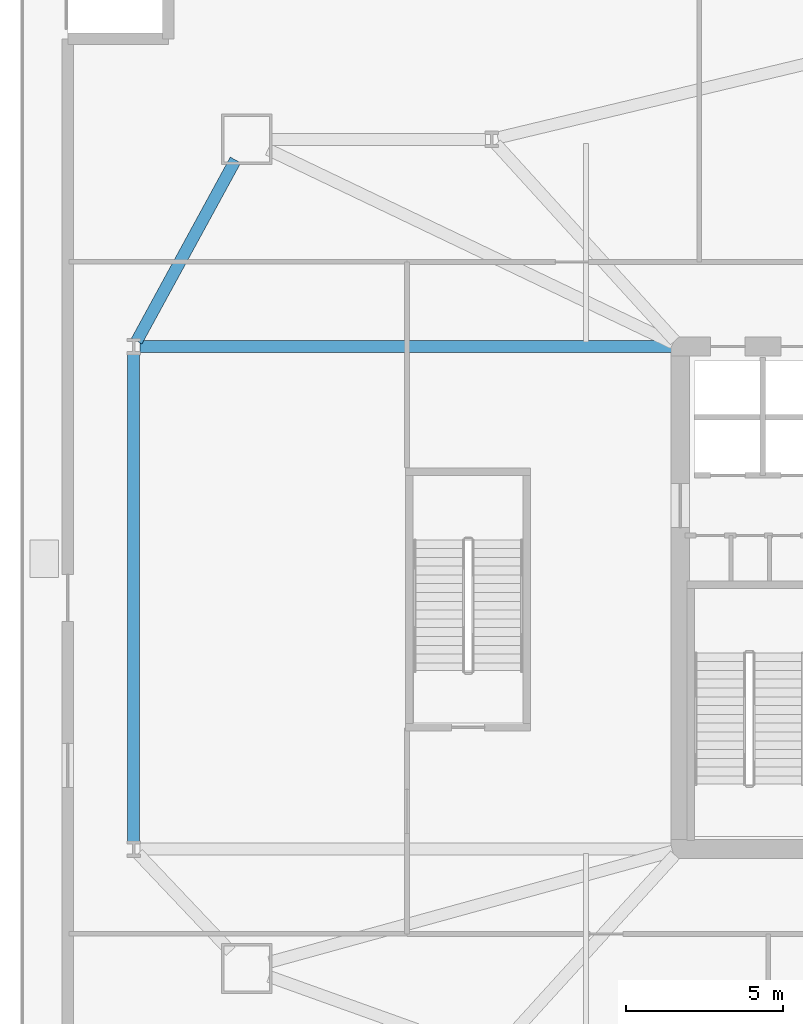
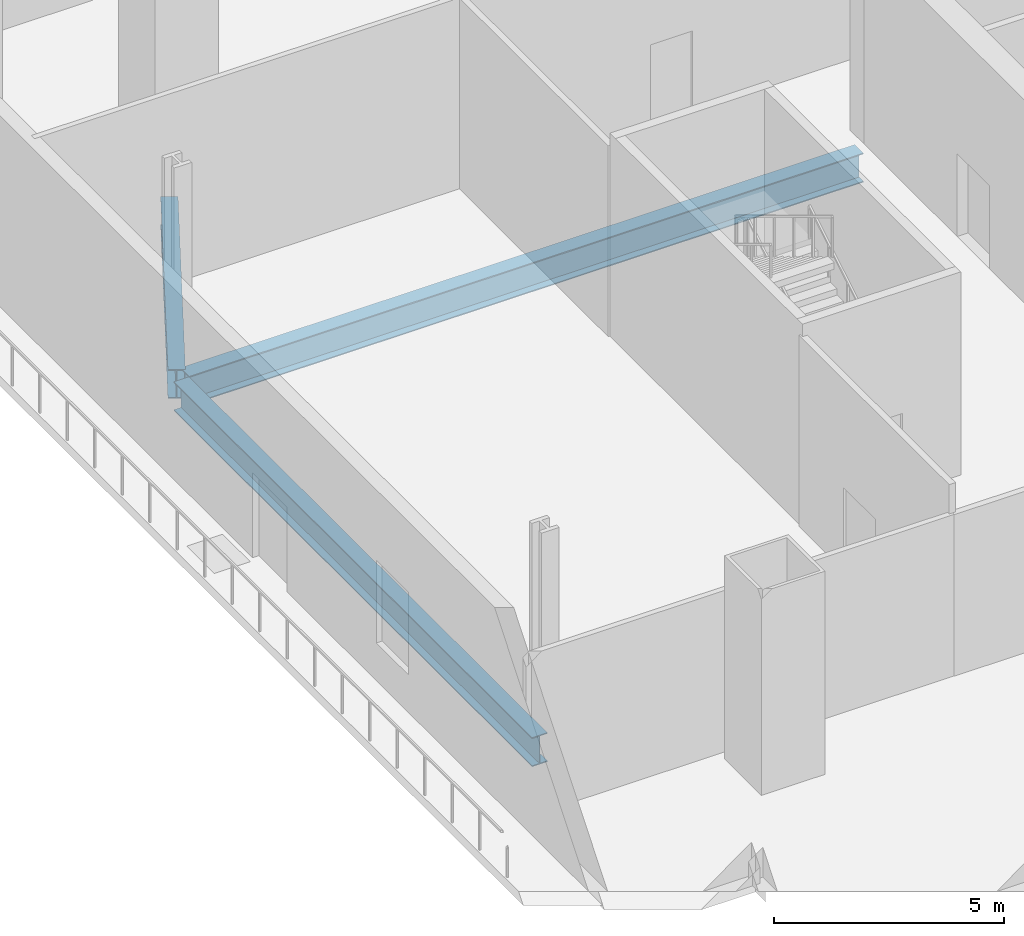
# One storey, part 4 of 20: 3 beams.
"""IFC4 building model written with IfcOpenShell, lengths in metres."""

from ifc_helpers import new_model, si_unit, direction, frame, origin, origin_2d, place, context, subcontext, project, spatial, i_section, extrude, material, material_profile, profile_set, type_object, element, save


model = new_model("IFC4")

# Units and contexts
model_context = context("Model", 3, precision=1e-05, world=origin(), true_north=direction((0.0, 1.0)))
body_context = subcontext(model_context, "Body", "Model", "MODEL_VIEW")
ifc_project = project(units=[si_unit("LENGTHUNIT", "METRE"), si_unit("AREAUNIT", "SQUARE_METRE"), si_unit("VOLUMEUNIT", "CUBIC_METRE"), si_unit("PLANEANGLEUNIT", "RADIAN"), si_unit("MASSUNIT", "GRAM", prefix="KILO")], contexts=[model_context])

# Site, building, storey
site_placement = place(None, origin())
site = spatial("IfcSite", under=ifc_project, at=site_placement, CompositionType="ELEMENT")
building_placement = place(site_placement, origin())
building = spatial("IfcBuilding", under=site, at=building_placement, Name="Haldenkirk Collegiate Tower", CompositionType="ELEMENT")
storey_placement = place(building_placement, frame((0.0, 0.0, 11.39990234375)))
storey = spatial("IfcBuildingStorey", under=building, at=storey_placement, Name="L02", CompositionType="ELEMENT", Elevation=11.39990234375)

# Beams
ifc_material = material(Name="Steel ASTM A992 Grade 50", Category="steel")
ifc_material_profile = material_profile(ifc_material, i_section(OverallWidth=0.381103515625, OverallDepth=0.77294921875, WebThickness=0.0166015625, FlangeThickness=0.027099609375, at=origin_2d()), Name="W30X173")
ifc_profile_set = profile_set([ifc_material_profile], Name="Steel ASTM A992 Grade 50")
beam_type = type_object("IfcBeamType", Name="BM-GIRDER-W30X173", PredefinedType="BEAM", material=ifc_profile_set)
beam_1_placement = place(storey_placement, frame((12.8408203125, 39.941650390625, -0.71630859375), z_axis=(-0.47883650459, -0.877904096056, 0.0), x_axis=(0.877904096056, -0.47883650459, 0.0)))
element("IfcBeam", 1, at=beam_1_placement, inside=storey, type_object=beam_type, Name="L02 podium ring girder 12", PredefinedType="BEAM", context=body_context, shape_type="SweptSolid", body=[
    extrude(i_section(OverallWidth=0.381103515625, OverallDepth=0.77294921875, WebThickness=0.0166015625, FlangeThickness=0.027099609375, at=origin_2d()), origin(), (0.0, 0.0, 1.0), 6.568115234375),
])
beam_2_placement = place(storey_placement, frame((9.60009765625, 33.800048828125, -0.71630859375), z_axis=(0.0, -1.0, 0.0), x_axis=(1.0, 0.0, 0.0)))
element("IfcBeam", 2, at=beam_2_placement, inside=storey, type_object=beam_type, Name="L02 podium ring girder 13", PredefinedType="BEAM", context=body_context, shape_type="SweptSolid", body=[
    extrude(i_section(OverallWidth=0.381103515625, OverallDepth=0.77294921875, WebThickness=0.0166015625, FlangeThickness=0.027099609375, at=origin_2d()), origin(), (0.0, 0.0, 1.0), 15.60009765625),
])
beam_3_placement = place(storey_placement, frame((9.800048828125, 34.0, -0.71630859375), z_axis=(1.0, 0.0, 0.0), x_axis=(0.0, 1.0, 0.0)))
element("IfcBeam", 3, at=beam_3_placement, inside=storey, type_object=beam_type, Name="L02 podium radial girder 02", PredefinedType="BEAM", context=body_context, shape_type="SweptSolid", body=[
    extrude(i_section(OverallWidth=0.381103515625, OverallDepth=0.77294921875, WebThickness=0.0166015625, FlangeThickness=0.027099609375, at=origin_2d()), origin(), (0.0, 0.0, 1.0), 16.949951171875),
])

save(model, "model.ifc")
